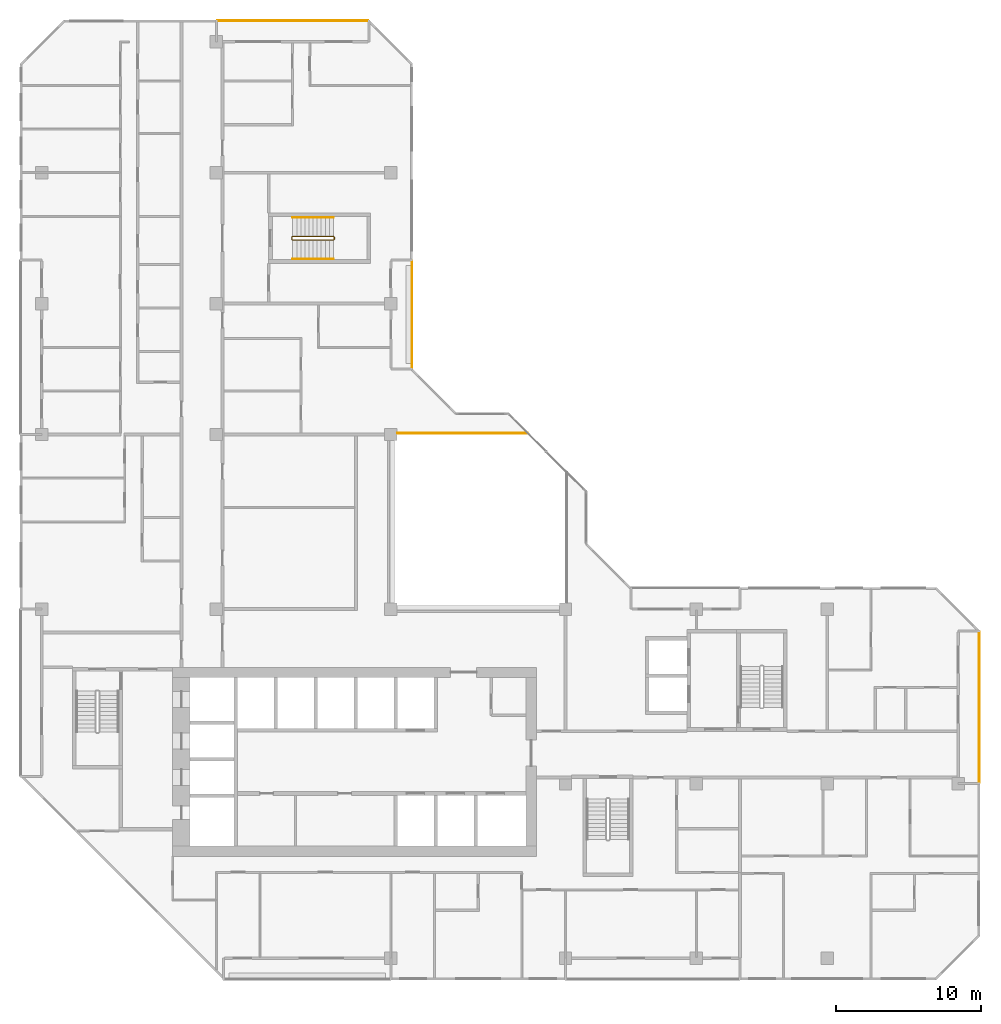
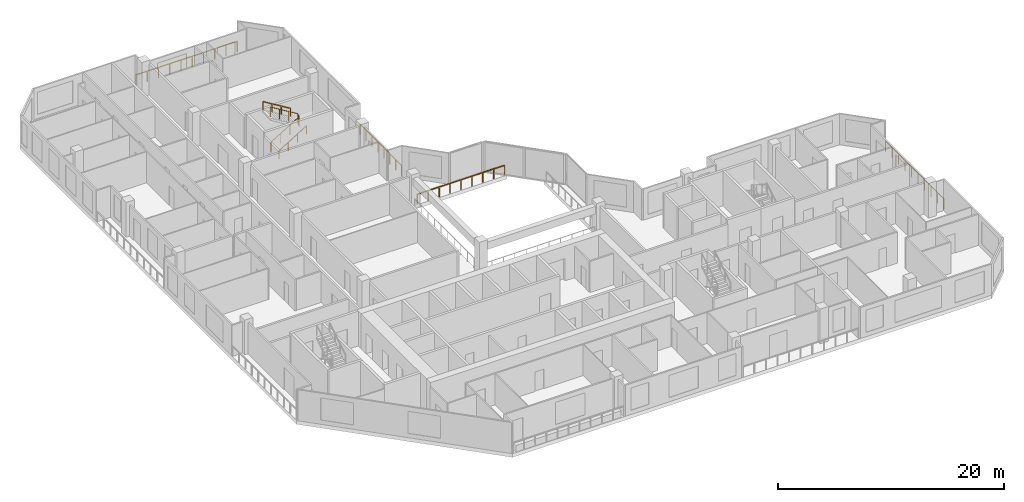
# One storey, part 15 of 15: 7 railings.
"""IFC4 building model written with IfcOpenShell, lengths in metres."""

import ifcopenshell
import ifcopenshell.guid

model = None  # the IFC model being written
_history = None  # IfcOwnerHistory: only IFC2X3 demands one
_inside = {}  # id of a spatial element -> (the spatial element, [elements in it])
_under = {}  # id of a project, library or spatial element -> (it, [spatial elements below it])
_declared = {}  # id of a project -> (the project, [libraries it declares])
_typed = {}  # id of a type object -> (the type object, [elements of that type])
_made_of = {}  # id of a material, layer set ... -> (it, [elements and type objects made of it])


def new_model(schema):
    """Start an empty IFC model of exactly this schema.

    Asked for "IFC4X3", IfcOpenShell would pick the latest addendum, in which some entities
    have other attributes; the version numbers below select the first issue.
    IFC2X3 requires an IfcOwnerHistory on every rooted entity: one is made here for all.
    """
    global model, _history
    if schema == "IFC4X3":
        model = ifcopenshell.file(schema_version=(4, 3, 0, 0))
    else:
        model = ifcopenshell.file(schema=schema)
    _inside.clear()
    _under.clear()
    _declared.clear()
    _typed.clear()
    _made_of.clear()
    _history = None
    if model.schema == "IFC2X3":
        org = make("IfcOrganization", Name="unknown")
        user = make(
            "IfcPersonAndOrganization",
            ThePerson=make("IfcPerson", FamilyName="unknown"),
            TheOrganization=org,
        )
        app = make(
            "IfcApplication",
            ApplicationDeveloper=org,
            Version="unknown",
            ApplicationFullName="unknown",
            ApplicationIdentifier="unknown",
        )
        _history = make(
            "IfcOwnerHistory",
            OwningUser=user,
            OwningApplication=app,
            ChangeAction="ADDED",
            CreationDate=0,
        )
    return model


def make(cls, **values):
    """One entity of the class cls with the attributes given. An attribute that is None is left unset."""
    return model.create_entity(
        cls, **{name: value for name, value in values.items() if value is not None}
    )


def rooted(cls, **values):
    """An entity with a GlobalId (a new one), such as an element, a storey or a relation."""
    return make(cls, GlobalId=ifcopenshell.guid.new(), OwnerHistory=_history, **values)


def si_unit(unit_type, name, prefix=None):
    """IfcSIUnit, for example si_unit("LENGTHUNIT", "METRE", prefix="MILLI")."""
    return make("IfcSIUnit", UnitType=unit_type, Prefix=prefix, Name=name)


def assignment(units):
    """IfcUnitAssignment: the units of a project."""
    return None if units is None else make("IfcUnitAssignment", Units=units)


def point(xyz):
    """IfcCartesianPoint."""
    return None if xyz is None else make("IfcCartesianPoint", Coordinates=xyz)


def direction(xyz):
    """IfcDirection."""
    return None if xyz is None else make("IfcDirection", DirectionRatios=xyz)


def frame(location, z_axis=None, x_axis=None):
    """IfcAxis2Placement3D, a coordinate frame: its origin and axes. An axis left out is left unset."""
    return make(
        "IfcAxis2Placement3D",
        Location=point(location),
        Axis=direction(z_axis),
        RefDirection=direction(x_axis),
    )


def frame_2d(location, x_axis=None):
    """IfcAxis2Placement2D, a coordinate frame in the plane: its origin and x axis."""
    return make(
        "IfcAxis2Placement2D", Location=point(location), RefDirection=direction(x_axis)
    )


def origin():
    """The frame at (0, 0, 0) with its axes left unset."""
    return frame((0.0, 0.0, 0.0))


def origin_2d():
    """The frame at (0, 0) in the plane with its x axis left unset."""
    return frame_2d((0.0, 0.0))


def place(relative_to, where):
    """IfcLocalPlacement: puts the frame where relative to a parent placement (None: the world)."""
    return make(
        "IfcLocalPlacement", PlacementRelTo=relative_to, RelativePlacement=where
    )


def context(
    kind, dimensions, precision=None, world=None, true_north=None, identifier=None
):
    """IfcGeometricRepresentationContext, for example the 3D "Model" context."""
    return make(
        "IfcGeometricRepresentationContext",
        ContextIdentifier=identifier,
        ContextType=kind,
        CoordinateSpaceDimension=dimensions,
        Precision=precision,
        WorldCoordinateSystem=world,
        TrueNorth=true_north,
    )


def subcontext(parent, identifier, kind, view, scale=None):
    """IfcGeometricRepresentationSubContext, for example "Body" below "Model"."""
    return make(
        "IfcGeometricRepresentationSubContext",
        ContextIdentifier=identifier,
        ContextType=kind,
        ParentContext=parent,
        TargetScale=scale,
        TargetView=view,
    )


def project(units=None, contexts=None):
    """IfcProject with its units and contexts."""
    return rooted(
        "IfcProject",
        Name="project",
        RepresentationContexts=contexts,
        UnitsInContext=assignment(units),
    )


def spatial(cls, under=None, at=None, **own):
    """A site, building, storey or space (cls), placed at a placement, below another one or the project."""
    s = rooted(cls, ObjectPlacement=at, **own)
    if under is not None:
        _under.setdefault(under.id(), (under, []))[1].append(s)
    return s


def profile(cls, at=None, kind="AREA", **sizes):
    """A parametric profile (cls). Its sizes go by their IFC names, for example OverallWidth=200.0."""
    return make(cls, ProfileType=kind, Position=at, **sizes)


def rectangle(**sizes):
    """IfcRectangleProfileDef."""
    return profile("IfcRectangleProfileDef", **sizes)


def extrude(swept, where, along, depth):
    """IfcExtrudedAreaSolid: the profile swept, set in the frame where, extruded along a direction by depth."""
    return make(
        "IfcExtrudedAreaSolid",
        SweptArea=swept,
        Position=where,
        ExtrudedDirection=direction(along),
        Depth=depth,
    )


def shape(context_of_items, identifier, shape_type, items):
    """IfcShapeRepresentation: the items that make up one representation, for example the "Body"."""
    return make(
        "IfcShapeRepresentation",
        ContextOfItems=context_of_items,
        RepresentationIdentifier=identifier,
        RepresentationType=shape_type,
        Items=items,
    )


def material(Name=None, Category=None):
    """IfcMaterial."""
    return make("IfcMaterial", Name=Name, Category=Category)


def made_of(thing, what):
    """Note that an element or type object is made of a material, layer set ...; save() writes the relation."""
    if what is not None:
        _made_of.setdefault(what.id(), (what, []))[1].append(thing)
    return thing


def type_object(cls, material=None, **own):
    """A type object (cls), such as IfcWallType, which elements share."""
    return made_of(rooted(cls, **own), material)


def element(
    cls,
    number,
    at=None,
    inside=None,
    cuts=None,
    type_object=None,
    material=None,
    context=None,
    identifier="Body",
    shape_type=None,
    held_by="IfcProductDefinitionShape",
    body=None,
    shapes=None,
    **own,
):
    """One element of the class cls, such as IfcWall. Its Tag is "e" and its number.

    at: its placement. inside: the storey or other place that contains it. cuts: it is an
    opening in that element (IfcRelVoidsElement). A single representation is given by context,
    identifier, shape_type and body (its items); several are given by shapes. held_by: the class
    of the entity that holds the representations. save() writes the other relations.
    """
    e = rooted(cls, Tag="e%d" % number, ObjectPlacement=at, **own)
    if body is not None:
        shapes = [shape(context, identifier, shape_type, body)]
    if shapes is not None:
        e.Representation = make(held_by, Representations=shapes)
    if inside is not None:
        _inside.setdefault(inside.id(), (inside, []))[1].append(e)
    if cuts is not None:
        rooted(
            "IfcRelVoidsElement", RelatingBuildingElement=cuts, RelatedOpeningElement=e
        )
    if type_object is not None:
        _typed.setdefault(type_object.id(), (type_object, []))[1].append(e)
    return made_of(e, material)


def aggregate(whole, parts):
    """IfcRelAggregates: a whole, such as a stair, and the parts it consists of."""
    return rooted("IfcRelAggregates", RelatingObject=whole, RelatedObjects=parts)


def save(model, path):
    """Write the relations noted so far, then the file.

    IfcRelAggregates (storeys below a building ...), IfcRelContainedInSpatialStructure (elements
    in a storey), IfcRelDefinesByType, IfcRelAssociatesMaterial and IfcRelDeclares: one each for
    every whole, place, type object, material and project.
    """
    for whole, parts in _under.values():
        aggregate(whole, parts)
    for where, things in _inside.values():
        rooted(
            "IfcRelContainedInSpatialStructure",
            RelatedElements=things,
            RelatingStructure=where,
        )
    for kind, things in _typed.values():
        rooted("IfcRelDefinesByType", RelatedObjects=things, RelatingType=kind)
    for what, things in _made_of.values():
        rooted("IfcRelAssociatesMaterial", RelatedObjects=things, RelatingMaterial=what)
    for by, libraries in _declared.values():
        rooted("IfcRelDeclares", RelatingContext=by, RelatedDefinitions=libraries)
    model.write(path)


model = new_model("IFC4")

# Units and contexts
model_context = context("Model", 3, precision=1e-05, world=origin(), true_north=direction((0.0, 1.0)))
body_context = subcontext(model_context, "Body", "Model", "MODEL_VIEW")
ifc_project = project(units=[si_unit("LENGTHUNIT", "METRE"), si_unit("AREAUNIT", "SQUARE_METRE"), si_unit("VOLUMEUNIT", "CUBIC_METRE"), si_unit("PLANEANGLEUNIT", "RADIAN"), si_unit("MASSUNIT", "GRAM", prefix="KILO")], contexts=[model_context])

# Site, building, storey
site_placement = place(None, origin())
site = spatial("IfcSite", under=ifc_project, at=site_placement, CompositionType="ELEMENT")
building_placement = place(site_placement, origin())
building = spatial("IfcBuilding", under=site, at=building_placement, Name="Chenar Terraces", CompositionType="ELEMENT")
storey_placement = place(building_placement, frame((0.0, 0.0, 215.39990234375)))
storey = spatial("IfcBuildingStorey", under=building, at=storey_placement, Name="L50", CompositionType="ELEMENT", Elevation=215.39990234375)

# Railings
ifc_material_1 = material(Name="Powder-coated steel", Category="steel")
railing_type_1 = type_object("IfcRailingType", Name="Guard 1100 steel rail with glass infill", PredefinedType="GUARDRAIL", material=ifc_material_1)
railing_1_placement = place(storey_placement, frame((24.47509765625, 36.10009765625, 0.0)))
element("IfcRailing", 1, at=railing_1_placement, inside=storey, type_object=railing_type_1, Name="Guard L50-2", PredefinedType="GUARDRAIL", context=body_context, shape_type="SweptSolid", body=[
    extrude(rectangle(XDim=0.06005859375, YDim=0.06005859375, at=origin_2d()), frame((0.0, 0.0, 1.070068359375), z_axis=(1.0, 0.0, 0.0), x_axis=(0.0, 1.0, 0.0)), (0.0, 0.0, 1.0), 8.9248046875),
    extrude(rectangle(XDim=0.050048828125, YDim=0.050048828125, at=origin_2d()), origin(), (0.0, 0.0, 1.0), 1.0400390625),
    extrude(rectangle(XDim=0.050048828125, YDim=0.050048828125, at=origin_2d()), frame((1.11572265625, 0.0, 0.0)), (0.0, 0.0, 1.0), 1.0400390625),
    extrude(rectangle(XDim=0.050048828125, YDim=0.050048828125, at=origin_2d()), frame((2.231201171875, 0.0, 0.0)), (0.0, 0.0, 1.0), 1.0400390625),
    extrude(rectangle(XDim=0.050048828125, YDim=0.050048828125, at=origin_2d()), frame((3.3466796875, 0.0, 0.0)), (0.0, 0.0, 1.0), 1.0400390625),
    extrude(rectangle(XDim=0.050048828125, YDim=0.050048828125, at=origin_2d()), frame((4.46240234375, 0.0, 0.0)), (0.0, 0.0, 1.0), 1.0400390625),
    extrude(rectangle(XDim=0.050048828125, YDim=0.050048828125, at=origin_2d()), frame((5.578125, 0.0, 0.0)), (0.0, 0.0, 1.0), 1.0400390625),
    extrude(rectangle(XDim=0.050048828125, YDim=0.050048828125, at=origin_2d()), frame((6.693603515625, 0.0, 0.0)), (0.0, 0.0, 1.0), 1.0400390625),
    extrude(rectangle(XDim=0.050048828125, YDim=0.050048828125, at=origin_2d()), frame((7.80908203125, 0.0, 0.0)), (0.0, 0.0, 1.0), 1.0400390625),
    extrude(rectangle(XDim=0.050048828125, YDim=0.050048828125, at=origin_2d()), frame((8.9248046875, 0.0, 0.0)), (0.0, 0.0, 1.0), 1.0400390625),
])
ifc_material_2 = material(Name="Stainless steel and glass", Category="steel")
railing_type_2 = type_object("IfcRailingType", Name="Loggia guard 1150", PredefinedType="GUARDRAIL", material=ifc_material_2)
railing_2_placement = place(storey_placement, frame((25.449951171875, 40.574951171875, 0.0)))
element("IfcRailing", 2, at=railing_2_placement, inside=storey, type_object=railing_type_2, Name="Loggia guard", PredefinedType="GUARDRAIL", context=body_context, shape_type="SweptSolid", body=[
    extrude(rectangle(XDim=0.048095703125, YDim=0.048095703125, at=origin_2d()), frame((0.0, 0.0, 1.1259765625), z_axis=(0.0, 1.0, 0.0), x_axis=(-1.0, 0.0, 0.0)), (0.0, 0.0, 1.0), 7.35009765625),
    extrude(rectangle(XDim=0.0419921875, YDim=0.0419921875, at=origin_2d()), origin(), (0.0, 0.0, 1.0), 1.101806640625),
    extrude(rectangle(XDim=0.0419921875, YDim=0.0419921875, at=origin_2d()), frame((0.0, 1.050048828125, 0.0)), (0.0, 0.0, 1.0), 1.101806640625),
    extrude(rectangle(XDim=0.0419921875, YDim=0.0419921875, at=origin_2d()), frame((0.0, 2.10009765625, 0.0)), (0.0, 0.0, 1.0), 1.101806640625),
    extrude(rectangle(XDim=0.0419921875, YDim=0.0419921875, at=origin_2d()), frame((0.0, 3.150146484375, 0.0)), (0.0, 0.0, 1.0), 1.101806640625),
    extrude(rectangle(XDim=0.0419921875, YDim=0.0419921875, at=origin_2d()), frame((0.0, 4.199951171875, 0.0)), (0.0, 0.0, 1.0), 1.101806640625),
    extrude(rectangle(XDim=0.0419921875, YDim=0.0419921875, at=origin_2d()), frame((0.0, 5.25, 0.0)), (0.0, 0.0, 1.0), 1.101806640625),
    extrude(rectangle(XDim=0.0419921875, YDim=0.0419921875, at=origin_2d()), frame((0.0, 6.300048828125, 0.0)), (0.0, 0.0, 1.0), 1.101806640625),
    extrude(rectangle(XDim=0.0419921875, YDim=0.0419921875, at=origin_2d()), frame((0.0, 7.35009765625, 0.0)), (0.0, 0.0, 1.0), 1.101806640625),
])
railing_3_placement = place(storey_placement, frame((64.449951171875, 12.074951171875, 0.0)))
element("IfcRailing", 3, at=railing_3_placement, inside=storey, type_object=railing_type_2, Name="Loggia guard", PredefinedType="GUARDRAIL", context=body_context, shape_type="SweptSolid", body=[
    extrude(rectangle(XDim=0.048095703125, YDim=0.048095703125, at=origin_2d()), frame((0.0, 0.0, 1.1259765625), z_axis=(0.0, 1.0, 0.0), x_axis=(-1.0, 0.0, 0.0)), (0.0, 0.0, 1.0), 10.35009765625),
    extrude(rectangle(XDim=0.0419921875, YDim=0.0419921875, at=origin_2d()), origin(), (0.0, 0.0, 1.0), 1.101806640625),
    extrude(rectangle(XDim=0.0419921875, YDim=0.0419921875, at=origin_2d()), frame((0.0, 1.14990234375, 0.0)), (0.0, 0.0, 1.0), 1.101806640625),
    extrude(rectangle(XDim=0.0419921875, YDim=0.0419921875, at=origin_2d()), frame((0.0, 2.300048828125, 0.0)), (0.0, 0.0, 1.0), 1.101806640625),
    extrude(rectangle(XDim=0.0419921875, YDim=0.0419921875, at=origin_2d()), frame((0.0, 3.449951171875, 0.0)), (0.0, 0.0, 1.0), 1.101806640625),
    extrude(rectangle(XDim=0.0419921875, YDim=0.0419921875, at=origin_2d()), frame((0.0, 4.60009765625, 0.0)), (0.0, 0.0, 1.0), 1.101806640625),
    extrude(rectangle(XDim=0.0419921875, YDim=0.0419921875, at=origin_2d()), frame((0.0, 5.75, 0.0)), (0.0, 0.0, 1.0), 1.101806640625),
    extrude(rectangle(XDim=0.0419921875, YDim=0.0419921875, at=origin_2d()), frame((0.0, 6.900146484375, 0.0)), (0.0, 0.0, 1.0), 1.101806640625),
    extrude(rectangle(XDim=0.0419921875, YDim=0.0419921875, at=origin_2d()), frame((0.0, 8.050048828125, 0.0)), (0.0, 0.0, 1.0), 1.101806640625),
    extrude(rectangle(XDim=0.0419921875, YDim=0.0419921875, at=origin_2d()), frame((0.0, 9.2001953125, 0.0)), (0.0, 0.0, 1.0), 1.101806640625),
    extrude(rectangle(XDim=0.0419921875, YDim=0.0419921875, at=origin_2d()), frame((0.0, 10.35009765625, 0.0)), (0.0, 0.0, 1.0), 1.101806640625),
])
railing_4_placement = place(storey_placement, frame((22.425048828125, 64.449951171875, 0.0)))
element("IfcRailing", 4, at=railing_4_placement, inside=storey, type_object=railing_type_2, Name="Loggia guard", PredefinedType="GUARDRAIL", context=body_context, shape_type="SweptSolid", body=[
    extrude(rectangle(XDim=0.048095703125, YDim=0.048095703125, at=origin_2d()), frame((0.0, 0.0, 1.1259765625), z_axis=(-1.0, 0.0, 0.0), x_axis=(0.0, -1.0, 0.0)), (0.0, 0.0, 1.0), 10.35009765625),
    extrude(rectangle(XDim=0.0419921875, YDim=0.0419921875, at=origin_2d()), origin(), (0.0, 0.0, 1.0), 1.101806640625),
    extrude(rectangle(XDim=0.0419921875, YDim=0.0419921875, at=origin_2d()), frame((-1.14990234375, 0.0, 0.0)), (0.0, 0.0, 1.0), 1.101806640625),
    extrude(rectangle(XDim=0.0419921875, YDim=0.0419921875, at=origin_2d()), frame((-2.300048828125, 0.0, 0.0)), (0.0, 0.0, 1.0), 1.101806640625),
    extrude(rectangle(XDim=0.0419921875, YDim=0.0419921875, at=origin_2d()), frame((-3.449951171875, 0.0, 0.0)), (0.0, 0.0, 1.0), 1.101806640625),
    extrude(rectangle(XDim=0.0419921875, YDim=0.0419921875, at=origin_2d()), frame((-4.60009765625, 0.0, 0.0)), (0.0, 0.0, 1.0), 1.101806640625),
    extrude(rectangle(XDim=0.0419921875, YDim=0.0419921875, at=origin_2d()), frame((-5.75, 0.0, 0.0)), (0.0, 0.0, 1.0), 1.101806640625),
    extrude(rectangle(XDim=0.0419921875, YDim=0.0419921875, at=origin_2d()), frame((-6.900146484375, 0.0, 0.0)), (0.0, 0.0, 1.0), 1.101806640625),
    extrude(rectangle(XDim=0.0419921875, YDim=0.0419921875, at=origin_2d()), frame((-8.050048828125, 0.0, 0.0)), (0.0, 0.0, 1.0), 1.101806640625),
    extrude(rectangle(XDim=0.0419921875, YDim=0.0419921875, at=origin_2d()), frame((-9.2001953125, 0.0, 0.0)), (0.0, 0.0, 1.0), 1.101806640625),
    extrude(rectangle(XDim=0.0419921875, YDim=0.0419921875, at=origin_2d()), frame((-10.35009765625, 0.0, 0.0)), (0.0, 0.0, 1.0), 1.101806640625),
])
ifc_material_3 = material(Name="Powder-coated steel", Category="steel")
railing_type_3 = type_object("IfcRailingType", Name="Stair guard 1100", PredefinedType="GUARDRAIL", material=ifc_material_3)
railing_5_placement = place(storey_placement, frame((17.25, 49.625, 3.75)))
element("IfcRailing", 5, at=railing_5_placement, inside=storey, type_object=railing_type_3, Name="L50 ST4 stair guard 1", PredefinedType="GUARDRAIL", context=body_context, shape_type="SweptSolid", body=[
    extrude(rectangle(XDim=0.048095703125, YDim=0.048095703125, at=origin_2d()), frame((0.0, 0.0, 1.076171875), z_axis=(0.854202870247, 0.0, -0.519939858505), x_axis=(0.0, 1.0, 0.0)), (0.0, 0.0, 1.0), 3.278076171875),
    extrude(rectangle(XDim=0.048095703125, YDim=0.048095703125, at=origin_2d()), frame((2.800048828125, 0.0, -0.62841796875), z_axis=(0.270899902878, -0.270899902878, -0.923702595667), x_axis=(0.707106781187, 0.707106781187, 0.0)), (0.0, 0.0, 1.0), 0.184814453125),
    extrude(rectangle(XDim=0.048095703125, YDim=0.048095703125, at=origin_2d()), frame((2.85009765625, -0.050048828125, -0.798828125), z_axis=(0.0, -1.0, 0.0), x_axis=(1.0, 0.0, 0.0)), (0.0, 0.0, 1.0), 0.14990234375),
    extrude(rectangle(XDim=0.048095703125, YDim=0.048095703125, at=origin_2d()), frame((2.85009765625, -0.199951171875, -0.798828125), z_axis=(-0.707106781187, -0.707106781187, 0.0), x_axis=(0.707106781187, -0.707106781187, 0.0)), (0.0, 0.0, 1.0), 0.07080078125),
    extrude(rectangle(XDim=0.048095703125, YDim=0.048095703125, at=origin_2d()), frame((2.800048828125, -0.25, -0.798828125), z_axis=(-0.854202870247, 0.0, -0.519939858505), x_axis=(0.0, -1.0, 0.0)), (0.0, 0.0, 1.0), 3.278076171875),
    extrude(rectangle(XDim=0.048095703125, YDim=0.048095703125, at=origin_2d()), frame((0.0, -0.25, -2.50341796875), z_axis=(-0.270899902878, 0.270899902878, -0.923702595667), x_axis=(-0.707106781187, -0.707106781187, 0.0)), (0.0, 0.0, 1.0), 0.184814453125),
    extrude(rectangle(XDim=0.048095703125, YDim=0.048095703125, at=origin_2d()), frame((-0.050048828125, -0.199951171875, -2.673828125), z_axis=(0.0, 1.0, 0.0), x_axis=(-1.0, 0.0, 0.0)), (0.0, 0.0, 1.0), 0.14990234375),
    extrude(rectangle(XDim=0.0419921875, YDim=0.0419921875, at=origin_2d()), origin(), (0.0, 0.0, 1.0), 1.052001953125),
    extrude(rectangle(XDim=0.0419921875, YDim=0.0419921875, at=origin_2d()), frame((0.933349609375, 0.0, -0.568115234375)), (0.0, 0.0, 1.0), 1.052001953125),
    extrude(rectangle(XDim=0.0419921875, YDim=0.0419921875, at=origin_2d()), frame((1.86669921875, 0.0, -1.13623046875)), (0.0, 0.0, 1.0), 1.052001953125),
    extrude(rectangle(XDim=0.0419921875, YDim=0.0419921875, at=origin_2d()), frame((2.800048828125, 0.0, -1.704345703125)), (0.0, 0.0, 1.0), 1.052001953125),
    extrude(rectangle(XDim=0.0419921875, YDim=0.0419921875, at=origin_2d()), frame((2.85009765625, -0.050048828125, -1.875)), (0.0, 0.0, 1.0), 1.052001953125),
    extrude(rectangle(XDim=0.0419921875, YDim=0.0419921875, at=origin_2d()), frame((2.85009765625, -0.199951171875, -1.875)), (0.0, 0.0, 1.0), 1.052001953125),
    extrude(rectangle(XDim=0.0419921875, YDim=0.0419921875, at=origin_2d()), frame((2.800048828125, -0.25, -1.875)), (0.0, 0.0, 1.0), 1.052001953125),
    extrude(rectangle(XDim=0.0419921875, YDim=0.0419921875, at=origin_2d()), frame((1.86669921875, -0.25, -2.443115234375)), (0.0, 0.0, 1.0), 1.052001953125),
    extrude(rectangle(XDim=0.0419921875, YDim=0.0419921875, at=origin_2d()), frame((0.933349609375, -0.25, -3.01123046875)), (0.0, 0.0, 1.0), 1.052001953125),
    extrude(rectangle(XDim=0.0419921875, YDim=0.0419921875, at=origin_2d()), frame((0.0, -0.25, -3.579345703125)), (0.0, 0.0, 1.0), 1.052001953125),
    extrude(rectangle(XDim=0.0419921875, YDim=0.0419921875, at=origin_2d()), frame((-0.050048828125, -0.199951171875, -3.75)), (0.0, 0.0, 1.0), 1.052001953125),
    extrude(rectangle(XDim=0.0419921875, YDim=0.0419921875, at=origin_2d()), frame((-0.050048828125, -0.050048828125, -3.75)), (0.0, 0.0, 1.0), 1.052001953125),
])
ifc_material_4 = material(Name="Powder-coated steel", Category="steel")
railing_type_4 = type_object("IfcRailingType", Name="Stair handrail 900", PredefinedType="HANDRAIL", material=ifc_material_4)
railing_6_placement = place(storey_placement, frame((17.25, 48.074951171875, 0.170654296875)))
element("IfcRailing", 6, at=railing_6_placement, inside=storey, type_object=railing_type_4, Name="L50 ST4 stair handrail 1", PredefinedType="HANDRAIL", context=body_context, shape_type="SweptSolid", body=[
    extrude(rectangle(XDim=0.048095703125, YDim=0.048095703125, at=origin_2d()), frame((0.0, 0.0, 0.8759765625), z_axis=(0.854202870247, 0.0, 0.519939858505), x_axis=(0.0, 1.0, 0.0)), (0.0, 0.0, 1.0), 3.278076171875),
    extrude(rectangle(XDim=0.0419921875, YDim=0.0419921875, at=origin_2d()), origin(), (0.0, 0.0, 1.0), 0.851806640625),
    extrude(rectangle(XDim=0.0419921875, YDim=0.0419921875, at=origin_2d()), frame((0.933349609375, 0.0, 0.568115234375)), (0.0, 0.0, 1.0), 0.851806640625),
    extrude(rectangle(XDim=0.0419921875, YDim=0.0419921875, at=origin_2d()), frame((1.86669921875, 0.0, 1.13623046875)), (0.0, 0.0, 1.0), 0.851806640625),
    extrude(rectangle(XDim=0.0419921875, YDim=0.0419921875, at=origin_2d()), frame((2.800048828125, 0.0, 1.704345703125)), (0.0, 0.0, 1.0), 0.851806640625),
])
railing_7_placement = place(storey_placement, frame((20.050048828125, 50.925048828125, 2.045654296875)))
element("IfcRailing", 7, at=railing_7_placement, inside=storey, type_object=railing_type_4, Name="L50 ST4 stair handrail 2", PredefinedType="HANDRAIL", context=body_context, shape_type="SweptSolid", body=[
    extrude(rectangle(XDim=0.048095703125, YDim=0.048095703125, at=origin_2d()), frame((0.0, 0.0, 0.8759765625), z_axis=(-0.854202870247, 0.0, 0.519939858505), x_axis=(0.0, -1.0, 0.0)), (0.0, 0.0, 1.0), 3.278076171875),
    extrude(rectangle(XDim=0.0419921875, YDim=0.0419921875, at=origin_2d()), origin(), (0.0, 0.0, 1.0), 0.851806640625),
    extrude(rectangle(XDim=0.0419921875, YDim=0.0419921875, at=origin_2d()), frame((-0.933349609375, 0.0, 0.568115234375)), (0.0, 0.0, 1.0), 0.851806640625),
    extrude(rectangle(XDim=0.0419921875, YDim=0.0419921875, at=origin_2d()), frame((-1.86669921875, 0.0, 1.13623046875)), (0.0, 0.0, 1.0), 0.851806640625),
    extrude(rectangle(XDim=0.0419921875, YDim=0.0419921875, at=origin_2d()), frame((-2.800048828125, 0.0, 1.704345703125)), (0.0, 0.0, 1.0), 0.851806640625),
])

save(model, "model.ifc")
